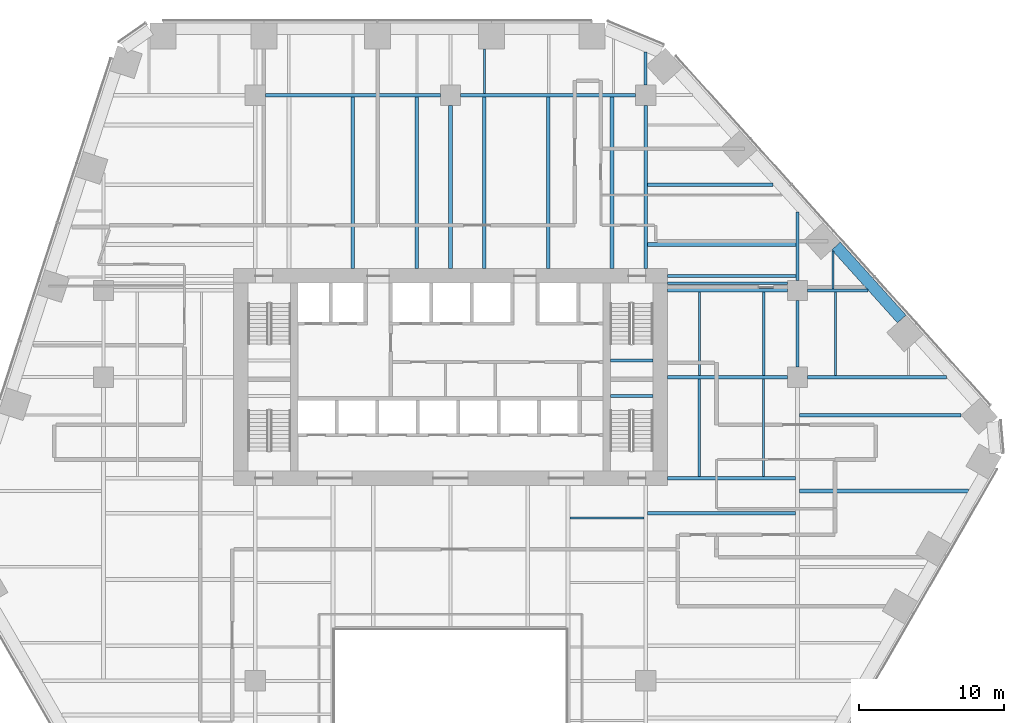
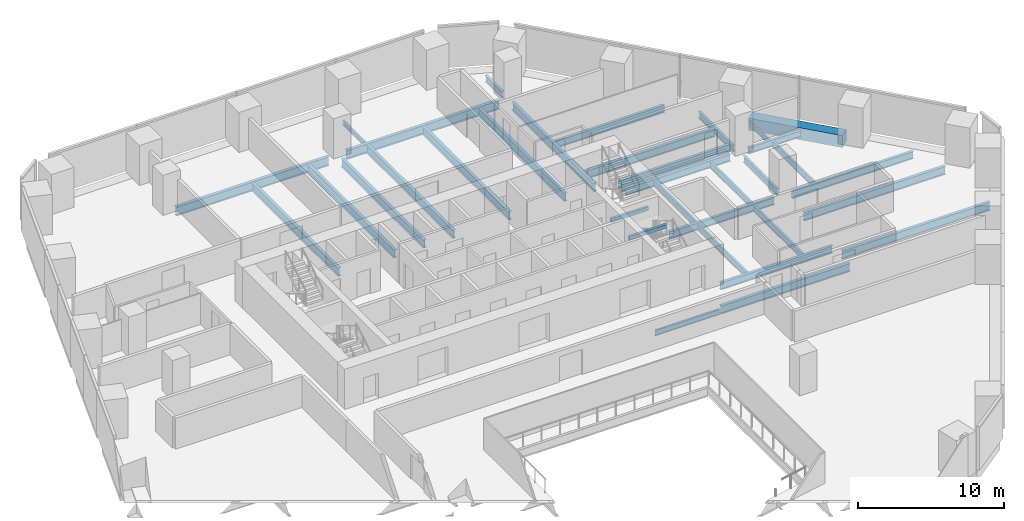
# One storey, part 9 of 20: 35 beams.
"""IFC4 building model written with IfcOpenShell, lengths in metres."""

from ifc_helpers import new_model, si_unit, direction, frame, origin, origin_2d, place, context, subcontext, project, spatial, rectangle, i_section, extrude, material, material_profile, profile_set, type_object, element, save


model = new_model("IFC4")

# Units and contexts
model_context = context("Model", 3, precision=1e-05, world=origin(), true_north=direction((0.0, 1.0)))
body_context = subcontext(model_context, "Body", "Model", "MODEL_VIEW")
ifc_project = project(units=[si_unit("LENGTHUNIT", "METRE"), si_unit("AREAUNIT", "SQUARE_METRE"), si_unit("VOLUMEUNIT", "CUBIC_METRE"), si_unit("PLANEANGLEUNIT", "RADIAN"), si_unit("MASSUNIT", "GRAM", prefix="KILO")], contexts=[model_context])

# Site, building, storey
site_placement = place(None, origin())
site = spatial("IfcSite", under=ifc_project, at=site_placement, CompositionType="ELEMENT")
building_placement = place(site_placement, origin())
building = spatial("IfcBuilding", under=site, at=building_placement, Name="Isthmus Gate Tower", CompositionType="ELEMENT")
storey_placement = place(building_placement, frame((0.0, 0.0, 72.5)))
storey = spatial("IfcBuildingStorey", under=building, at=storey_placement, Name="L16", CompositionType="ELEMENT", Elevation=72.5)

# Beams
ifc_material_1 = material(Name="Concrete f'c 70 MPa", Category="concrete")
ifc_material_profile_1 = material_profile(ifc_material_1, rectangle(XDim=0.800048828125, YDim=1.0, at=origin_2d()), Name="RC 800X1000")
ifc_profile_set_1 = profile_set([ifc_material_profile_1], Name="Concrete f'c 70 MPa")
beam_type_1 = type_object("IfcBeamType", Name="RC SPANDREL 800 X 1000", PredefinedType="SPANDREL", material=ifc_profile_set_1)
beam_1_placement = place(storey_placement, frame((26.664794921875, 16.566162109375, -0.5), z_axis=(0.669117690519, -0.743156454748, 0.0), x_axis=(0.743156454748, 0.669117690519, 0.0)))
element("IfcBeam", 1, at=beam_1_placement, inside=storey, type_object=beam_type_1, Name="str-spandrel-L16-03", PredefinedType="SPANDREL", context=body_context, shape_type="SweptSolid", body=[
    extrude(rectangle(XDim=0.800048828125, YDim=1.0, at=origin_2d()), origin(), (0.0, 0.0, 1.0), 6.78955078125),
])
ifc_material_2 = material(Name="Concrete f'c 40 MPa", Category="concrete")
ifc_material_profile_2 = material_profile(ifc_material_2, rectangle(XDim=0.199951171875, YDim=0.300048828125, at=origin_2d()), Name="STAIR LANDING BEAM RC 200 X 300")
ifc_profile_set_2 = profile_set([ifc_material_profile_2], Name="Concrete f'c 40 MPa")
beam_type_2 = type_object("IfcBeamType", Name="STAIR LANDING BEAM RC 200 X 300", PredefinedType="BEAM", material=ifc_profile_set_2)
for number, where, z_axis, x_axis, name in (
    (2, (11.050048828125, 8.64990234375, 1.47509765625), (1.0, 0.0, 0.0), (0.0, 1.0, 0.0), "L16 ST2 landing beam 1"),
    (3, (11.050048828125, 6.199951171875, 1.47509765625), (1.0, 0.0, 0.0), (0.0, 1.0, 0.0), "L16 ST8 landing beam 1"),
):
    element("IfcBeam", number, at=place(storey_placement, frame(where, z_axis=z_axis, x_axis=x_axis)), inside=storey, type_object=beam_type_2, Name=name, PredefinedType="BEAM", context=body_context, shape_type="SweptSolid", body=[
        extrude(rectangle(XDim=0.199951171875, YDim=0.300048828125, at=origin_2d()), origin(), (0.0, 0.0, 1.0), 2.949951171875),
    ])
ifc_material_3 = material(Name="Structural steel ASTM A992 Gr 50", Category="steel")
ifc_material_profile_3 = material_profile(ifc_material_3, i_section(OverallWidth=0.1396484375, OverallDepth=0.4033203125, WebThickness=0.00634765625, FlangeThickness=0.010986328125, at=origin_2d()), Name="W16X31")
ifc_profile_set_3 = profile_set([ifc_material_profile_3], Name="Structural steel ASTM A992 Gr 50")
beam_type_3 = type_object("IfcBeamType", Name="STEEL FLOOR BEAM W16X31", PredefinedType="JOIST", material=ifc_profile_set_3)
beam_2_placement = place(storey_placement, frame((2.33740234375, 27.1318359375, -0.3515625), z_axis=(0.0, 1.0, 0.0), x_axis=(-1.0, 0.0, 0.0)))
element("IfcBeam", 4, at=beam_2_placement, inside=storey, type_object=beam_type_3, Name="str-beam-L16-19-00", PredefinedType="JOIST", context=body_context, shape_type="SweptSolid", body=[
    extrude(i_section(OverallWidth=0.1396484375, OverallDepth=0.4033203125, WebThickness=0.00634765625, FlangeThickness=0.010986328125, at=origin_2d()), origin(), (0.0, 0.0, 1.0), 3.068115234375),
])
beam_3_placement = place(storey_placement, frame((26.448974609375, 13.604736328125, -0.3515625), z_axis=(0.0, 1.0, 0.0), x_axis=(-1.0, 0.0, 0.0)))
element("IfcBeam", 5, at=beam_3_placement, inside=storey, type_object=beam_type_3, Name="str-beam-L16-32-00", PredefinedType="JOIST", context=body_context, shape_type="SweptSolid", body=[
    extrude(i_section(OverallWidth=0.1396484375, OverallDepth=0.4033203125, WebThickness=0.00634765625, FlangeThickness=0.010986328125, at=origin_2d()), origin(), (0.0, 0.0, 1.0), 2.603515625),
])
ifc_material_4 = material(Name="Structural steel ASTM A992 Gr 50", Category="steel")
ifc_material_profile_4 = material_profile(ifc_material_4, i_section(OverallWidth=0.15234375, OverallDepth=0.45068359375, WebThickness=0.0078125, FlangeThickness=0.010986328125, at=origin_2d()), Name="W18X35")
ifc_profile_set_4 = profile_set([ifc_material_profile_4], Name="Structural steel ASTM A992 Gr 50")
beam_type_4 = type_object("IfcBeamType", Name="STEEL FLOOR BEAM W18X35", PredefinedType="JOIST", material=ifc_profile_set_4)
beam_4_placement = place(storey_placement, frame((8.263427734375, -2.232421875, -0.37548828125), z_axis=(1.0, 0.0, 0.0), x_axis=(0.0, 1.0, 0.0)))
element("IfcBeam", 6, at=beam_4_placement, inside=storey, type_object=beam_type_4, Name="str-beam-L16-23-02", PredefinedType="JOIST", context=body_context, shape_type="SweptSolid", body=[
    extrude(i_section(OverallWidth=0.15234375, OverallDepth=0.45068359375, WebThickness=0.0078125, FlangeThickness=0.010986328125, at=origin_2d()), origin(), (0.0, 0.0, 1.0), 5.104736328125),
])
ifc_material_5 = material(Name="Structural steel ASTM A992 Gr 50", Category="steel")
ifc_material_profile_5 = material_profile(ifc_material_5, i_section(OverallWidth=0.1650390625, OverallDepth=0.52392578125, WebThickness=0.009521484375, FlangeThickness=0.010986328125, at=origin_2d()), Name="W21X44")
ifc_profile_set_5 = profile_set([ifc_material_profile_5], Name="Structural steel ASTM A992 Gr 50")
beam_type_5 = type_object("IfcBeamType", Name="STEEL FLOOR BEAM W21X44", PredefinedType="JOIST", material=ifc_profile_set_5)
for number, where, z_axis, x_axis, name in (
    (7, (17.223876953125, 7.6142578125, -0.411865234375), (0.0, 1.0, 0.0), (-1.0, 0.0, 0.0), "str-beam-L16-30-00"),
    (8, (21.67138671875, 7.6142578125, -0.411865234375), (0.0, 1.0, 0.0), (-1.0, 0.0, 0.0), "str-beam-L16-30-01"),
):
    element("IfcBeam", number, at=place(storey_placement, frame(where, z_axis=z_axis, x_axis=x_axis)), inside=storey, type_object=beam_type_5, Name=name, PredefinedType="JOIST", context=body_context, shape_type="SweptSolid", body=[
        extrude(i_section(OverallWidth=0.1650390625, OverallDepth=0.52392578125, WebThickness=0.009521484375, FlangeThickness=0.010986328125, at=origin_2d()), origin(), (0.0, 0.0, 1.0), 5.771484375),
    ])
for number, where, z_axis, x_axis, name in (
    (9, (17.216552734375, 0.6142578125, -0.411865234375), (0.0, 1.0, 0.0), (-1.0, 0.0, 0.0), "str-beam-L16-31-00"),
    (10, (21.64990234375, 0.6142578125, -0.411865234375), (0.0, 1.0, 0.0), (-1.0, 0.0, 0.0), "str-beam-L16-31-01"),
):
    element("IfcBeam", number, at=place(storey_placement, frame(where, z_axis=z_axis, x_axis=x_axis)), inside=storey, type_object=beam_type_5, Name=name, PredefinedType="JOIST", context=body_context, shape_type="SweptSolid", body=[
        extrude(i_section(OverallWidth=0.1650390625, OverallDepth=0.52392578125, WebThickness=0.009521484375, FlangeThickness=0.010986328125, at=origin_2d()), origin(), (0.0, 0.0, 1.0), 6.771484375),
    ])
beam_5_placement = place(storey_placement, frame((26.625244140625, 7.6142578125, -0.411865234375), z_axis=(0.0, 1.0, 0.0), x_axis=(-1.0, 0.0, 0.0)))
element("IfcBeam", 11, at=beam_5_placement, inside=storey, type_object=beam_type_5, Name="str-beam-L16-33-00", PredefinedType="JOIST", context=body_context, shape_type="SweptSolid", body=[
    extrude(i_section(OverallWidth=0.1650390625, OverallDepth=0.52392578125, WebThickness=0.009521484375, FlangeThickness=0.010986328125, at=origin_2d()), origin(), (0.0, 0.0, 1.0), 5.781005859375),
])
ifc_material_6 = material(Name="Structural steel ASTM A992 Gr 50", Category="steel")
ifc_material_profile_6 = material_profile(ifc_material_6, i_section(OverallWidth=0.177734375, OverallDepth=0.60009765625, WebThickness=0.009521484375, FlangeThickness=0.0126953125, at=origin_2d()), Name="W24X55")
ifc_profile_set_6 = profile_set([ifc_material_profile_6], Name="Structural steel ASTM A992 Gr 50")
beam_type_6 = type_object("IfcBeamType", Name="STEEL FLOOR BEAM W24X55", PredefinedType="JOIST", material=ifc_profile_set_6)
beam_6_placement = place(storey_placement, frame((15.0, 14.0, -0.449951171875), z_axis=(1.0, 0.0, 0.0), x_axis=(0.0, 1.0, 0.0)))
element("IfcBeam", 12, at=beam_6_placement, inside=storey, type_object=beam_type_6, Name="str-beam-L16-29-00", PredefinedType="JOIST", context=body_context, shape_type="SweptSolid", body=[
    extrude(i_section(OverallWidth=0.177734375, OverallDepth=0.60009765625, WebThickness=0.009521484375, FlangeThickness=0.0126953125, at=origin_2d()), origin(), (0.0, 0.0, 1.0), 8.300048828125),
])
ifc_material_7 = material(Name="Structural steel ASTM A992 Gr 50", Category="steel")
ifc_material_profile_7 = material_profile(ifc_material_7, i_section(OverallWidth=0.228515625, OverallDepth=0.603271484375, WebThickness=0.010986328125, FlangeThickness=0.014404296875, at=origin_2d()), Name="W24X68")
ifc_profile_set_7 = profile_set([ifc_material_profile_7], Name="Structural steel ASTM A992 Gr 50")
beam_type_7 = type_object("IfcBeamType", Name="STEEL FLOOR BEAM W24X68", PredefinedType="JOIST", material=ifc_profile_set_7)
beam_7_placement = place(storey_placement, frame((13.626953125, 20.80712890625, -0.45166015625), z_axis=(1.0, 0.0, 0.0), x_axis=(0.0, 1.0, 0.0)))
element("IfcBeam", 13, at=beam_7_placement, inside=storey, type_object=beam_type_7, Name="str-beam-L16-26-01", PredefinedType="JOIST", context=body_context, shape_type="SweptSolid", body=[
    extrude(i_section(OverallWidth=0.228515625, OverallDepth=0.603271484375, WebThickness=0.010986328125, FlangeThickness=0.014404296875, at=origin_2d()), origin(), (0.0, 0.0, 1.0), 8.680908203125),
])
ifc_material_8 = material(Name="Structural steel ASTM A992 Gr 50", Category="steel")
ifc_material_profile_8 = material_profile(ifc_material_8, i_section(OverallWidth=0.25390625, OverallDepth=0.679443359375, WebThickness=0.010986328125, FlangeThickness=0.015869140625, at=origin_2d()), Name="W27X84")
ifc_profile_set_8 = profile_set([ifc_material_profile_8], Name="Structural steel ASTM A992 Gr 50")
beam_type_8 = type_object("IfcBeamType", Name="STEEL FLOOR BEAM W27X84", PredefinedType="JOIST", material=ifc_profile_set_8)
for number, where, z_axis, x_axis, name in (
    (14, (-6.75, 15.0, -0.48974609375), (0.0, 1.0, 0.0), (-1.0, 0.0, 0.0), "str-beam-L16-13-01"),
    (15, (-2.334716796875, 15.0, -0.48974609375), (0.0, 1.0, 0.0), (-1.0, 0.0, 0.0), "str-beam-L16-13-02"),
    (16, (2.334716796875, 15.0, -0.48974609375), (0.0, 1.0, 0.0), (-1.0, 0.0, 0.0), "str-beam-L16-20-00"),
    (17, (6.75, 15.0, -0.48974609375), (0.0, 1.0, 0.0), (-1.0, 0.0, 0.0), "str-beam-L16-20-01"),
    (18, (11.165283203125, 15.0, -0.48974609375), (0.0, 1.0, 0.0), (-1.0, 0.0, 0.0), "str-beam-L16-20-02"),
):
    element("IfcBeam", number, at=place(storey_placement, frame(where, z_axis=z_axis, x_axis=x_axis)), inside=storey, type_object=beam_type_8, Name=name, PredefinedType="JOIST", context=body_context, shape_type="SweptSolid", body=[
        extrude(i_section(OverallWidth=0.25390625, OverallDepth=0.679443359375, WebThickness=0.010986328125, FlangeThickness=0.015869140625, at=origin_2d()), origin(), (0.0, 0.0, 1.0), 11.8681640625),
    ])
beam_8_placement = place(storey_placement, frame((13.626953125, 16.678466796875, -0.48974609375), z_axis=(1.0, 0.0, 0.0), x_axis=(0.0, 1.0, 0.0)))
element("IfcBeam", 19, at=beam_8_placement, inside=storey, type_object=beam_type_8, Name="str-beam-L16-26-00", PredefinedType="JOIST", context=body_context, shape_type="SweptSolid", body=[
    extrude(i_section(OverallWidth=0.25390625, OverallDepth=0.679443359375, WebThickness=0.010986328125, FlangeThickness=0.015869140625, at=origin_2d()), origin(), (0.0, 0.0, 1.0), 10.268310546875),
])
beam_9_placement = place(storey_placement, frame((13.6318359375, -1.90625, -0.48974609375), z_axis=(1.0, 0.0, 0.0), x_axis=(0.0, 1.0, 0.0)))
element("IfcBeam", 20, at=beam_9_placement, inside=storey, type_object=beam_type_8, Name="str-beam-L16-27-02", PredefinedType="JOIST", context=body_context, shape_type="SweptSolid", body=[
    extrude(i_section(OverallWidth=0.25390625, OverallDepth=0.679443359375, WebThickness=0.010986328125, FlangeThickness=0.015869140625, at=origin_2d()), origin(), (0.0, 0.0, 1.0), 10.23486328125),
])
beam_10_placement = place(storey_placement, frame((24.13330078125, -0.375, -0.48974609375), z_axis=(1.0, 0.0, 0.0), x_axis=(0.0, 1.0, 0.0)))
element("IfcBeam", 21, at=beam_10_placement, inside=storey, type_object=beam_type_8, Name="str-beam-L16-34-02", PredefinedType="JOIST", context=body_context, shape_type="SweptSolid", body=[
    extrude(i_section(OverallWidth=0.25390625, OverallDepth=0.679443359375, WebThickness=0.010986328125, FlangeThickness=0.015869140625, at=origin_2d()), origin(), (0.0, 0.0, 1.0), 11.6767578125),
])
beam_11_placement = place(storey_placement, frame((24.13330078125, 4.875, -0.48974609375), z_axis=(1.0, 0.0, 0.0), x_axis=(0.0, 1.0, 0.0)))
element("IfcBeam", 22, at=beam_11_placement, inside=storey, type_object=beam_type_8, Name="str-beam-L16-34-03", PredefinedType="JOIST", context=body_context, shape_type="SweptSolid", body=[
    extrude(i_section(OverallWidth=0.25390625, OverallDepth=0.679443359375, WebThickness=0.010986328125, FlangeThickness=0.015869140625, at=origin_2d()), origin(), (0.0, 0.0, 1.0), 11.185302734375),
])
ifc_material_9 = material(Name="Structural steel ASTM A992 Gr 50", Category="steel")
ifc_material_profile_9 = material_profile(ifc_material_9, i_section(OverallWidth=0.20947265625, OverallDepth=0.533447265625, WebThickness=0.009521484375, FlangeThickness=0.015869140625, at=origin_2d()), Name="W21X62")
ifc_profile_set_9 = profile_set([ifc_material_profile_9], Name="Structural steel ASTM A992 Gr 50")
beam_type_9 = type_object("IfcBeamType", Name="STEEL GIRDER W21X62", PredefinedType="BEAM", material=ifc_profile_set_9)
beam_12_placement = place(storey_placement, frame((24.699951171875, 13.5, -0.416748046875), z_axis=(1.0, 0.0, 0.0), x_axis=(0.0, 1.0, 0.0)))
element("IfcBeam", 23, at=beam_12_placement, inside=storey, type_object=beam_type_9, Name="str-girder-L16-15", PredefinedType="BEAM", context=body_context, shape_type="SweptSolid", body=[
    extrude(i_section(OverallWidth=0.20947265625, OverallDepth=0.533447265625, WebThickness=0.009521484375, FlangeThickness=0.015869140625, at=origin_2d()), origin(), (0.0, 0.0, 1.0), 4.187255859375),
])
beam_13_placement = place(storey_placement, frame((13.5, 27.699951171875, -0.416748046875), z_axis=(0.0, 1.0, 0.0), x_axis=(-1.0, 0.0, 0.0)))
element("IfcBeam", 24, at=beam_13_placement, inside=storey, type_object=beam_type_9, Name="str-girder-L16-34", PredefinedType="BEAM", context=body_context, shape_type="SweptSolid", body=[
    extrude(i_section(OverallWidth=0.20947265625, OverallDepth=0.533447265625, WebThickness=0.009521484375, FlangeThickness=0.015869140625, at=origin_2d()), origin(), (0.0, 0.0, 1.0), 2.27001953125),
])
beam_14_placement = place(storey_placement, frame((24.0, 8.199951171875, -0.416748046875), z_axis=(0.0, 1.0, 0.0), x_axis=(-1.0, 0.0, 0.0)))
element("IfcBeam", 25, at=beam_14_placement, inside=storey, type_object=beam_type_9, Name="str-girder-L16-36", PredefinedType="BEAM", context=body_context, shape_type="SweptSolid", body=[
    extrude(i_section(OverallWidth=0.20947265625, OverallDepth=0.533447265625, WebThickness=0.009521484375, FlangeThickness=0.015869140625, at=origin_2d()), origin(), (0.0, 0.0, 1.0), 4.60009765625),
])
beam_15_placement = place(storey_placement, frame((24.0, 14.199951171875, -0.416748046875), z_axis=(0.0, 1.0, 0.0), x_axis=(-1.0, 0.0, 0.0)))
element("IfcBeam", 26, at=beam_15_placement, inside=storey, type_object=beam_type_9, Name="str-girder-L16-37", PredefinedType="BEAM", context=body_context, shape_type="SweptSolid", body=[
    extrude(i_section(OverallWidth=0.20947265625, OverallDepth=0.533447265625, WebThickness=0.009521484375, FlangeThickness=0.015869140625, at=origin_2d()), origin(), (0.0, 0.0, 1.0), 4.72802734375),
])
ifc_material_10 = material(Name="Structural steel ASTM A992 Gr 50", Category="steel")
ifc_material_profile_10 = material_profile(ifc_material_10, i_section(OverallWidth=0.228515625, OverallDepth=0.6064453125, WebThickness=0.010986328125, FlangeThickness=0.017578125, at=origin_2d()), Name="W24X76")
ifc_profile_set_10 = profile_set([ifc_material_profile_10], Name="Structural steel ASTM A992 Gr 50")
beam_type_10 = type_object("IfcBeamType", Name="STEEL GIRDER W24X76", PredefinedType="BEAM", material=ifc_profile_set_10)
beam_16_placement = place(storey_placement, frame((15.0, 7.5, -0.453125), z_axis=(1.0, 0.0, 0.0), x_axis=(0.0, 1.0, 0.0)))
element("IfcBeam", 27, at=beam_16_placement, inside=storey, type_object=beam_type_10, Name="str-girder-L16-11", PredefinedType="BEAM", context=body_context, shape_type="SweptSolid", body=[
    extrude(i_section(OverallWidth=0.228515625, OverallDepth=0.6064453125, WebThickness=0.010986328125, FlangeThickness=0.017578125, at=origin_2d()), origin(), (0.0, 0.0, 1.0), 8.300048828125),
])
beam_17_placement = place(storey_placement, frame((24.699951171875, 7.5, -0.453125), z_axis=(1.0, 0.0, 0.0), x_axis=(0.0, 1.0, 0.0)))
element("IfcBeam", 28, at=beam_17_placement, inside=storey, type_object=beam_type_10, Name="str-girder-L16-12", PredefinedType="BEAM", context=body_context, shape_type="SweptSolid", body=[
    extrude(i_section(OverallWidth=0.228515625, OverallDepth=0.6064453125, WebThickness=0.010986328125, FlangeThickness=0.017578125, at=origin_2d()), origin(), (0.0, 0.0, 1.0), 9.58984375),
])
beam_18_placement = place(storey_placement, frame((15.0, 13.5, -0.453125), z_axis=(1.0, 0.0, 0.0), x_axis=(0.0, 1.0, 0.0)))
element("IfcBeam", 29, at=beam_18_placement, inside=storey, type_object=beam_type_10, Name="str-girder-L16-14", PredefinedType="BEAM", context=body_context, shape_type="SweptSolid", body=[
    extrude(i_section(OverallWidth=0.228515625, OverallDepth=0.6064453125, WebThickness=0.010986328125, FlangeThickness=0.017578125, at=origin_2d()), origin(), (0.0, 0.0, 1.0), 8.300048828125),
])
beam_19_placement = place(storey_placement, frame((15.0, 0.5, -0.453125), z_axis=(1.0, 0.0, 0.0), x_axis=(0.0, 1.0, 0.0)))
element("IfcBeam", 30, at=beam_19_placement, inside=storey, type_object=beam_type_10, Name="str-girder-L16-39", PredefinedType="BEAM", context=body_context, shape_type="SweptSolid", body=[
    extrude(i_section(OverallWidth=0.228515625, OverallDepth=0.6064453125, WebThickness=0.010986328125, FlangeThickness=0.017578125, at=origin_2d()), origin(), (0.0, 0.0, 1.0), 8.86669921875),
])
beam_20_placement = place(storey_placement, frame((15.0, 14.5, -0.453125), z_axis=(1.0, 0.0, 0.0), x_axis=(0.0, 1.0, 0.0)))
element("IfcBeam", 31, at=beam_20_placement, inside=storey, type_object=beam_type_10, Name="str-girder-L16-41", PredefinedType="BEAM", context=body_context, shape_type="SweptSolid", body=[
    extrude(i_section(OverallWidth=0.228515625, OverallDepth=0.6064453125, WebThickness=0.010986328125, FlangeThickness=0.017578125, at=origin_2d()), origin(), (0.0, 0.0, 1.0), 8.895263671875),
])
ifc_material_11 = material(Name="Structural steel ASTM A992 Gr 50", Category="steel")
ifc_material_profile_11 = material_profile(ifc_material_11, i_section(OverallWidth=0.25390625, OverallDepth=0.679443359375, WebThickness=0.010986328125, FlangeThickness=0.015869140625, at=origin_2d()), Name="W27X84")
ifc_profile_set_11 = profile_set([ifc_material_profile_11], Name="Structural steel ASTM A992 Gr 50")
beam_type_11 = type_object("IfcBeamType", Name="STEEL GIRDER W27X84", PredefinedType="BEAM", material=ifc_profile_set_11)
for number, where, z_axis, x_axis, name in (
    (32, (0.0, 15.0, -0.48974609375), (0.0, 1.0, 0.0), (-1.0, 0.0, 0.0), "str-girder-L16-29"),
    (33, (13.5, 15.0, -0.48974609375), (0.0, 1.0, 0.0), (-1.0, 0.0, 0.0), "str-girder-L16-33"),
):
    element("IfcBeam", number, at=place(storey_placement, frame(where, z_axis=z_axis, x_axis=x_axis)), inside=storey, type_object=beam_type_11, Name=name, PredefinedType="BEAM", context=body_context, shape_type="SweptSolid", body=[
        extrude(i_section(OverallWidth=0.25390625, OverallDepth=0.679443359375, WebThickness=0.010986328125, FlangeThickness=0.015869140625, at=origin_2d()), origin(), (0.0, 0.0, 1.0), 11.300048828125),
    ])
ifc_material_12 = material(Name="Structural steel ASTM A992 Gr 50", Category="steel")
ifc_material_profile_12 = material_profile(ifc_material_12, i_section(OverallWidth=0.263427734375, OverallDepth=0.749267578125, WebThickness=0.0126953125, FlangeThickness=0.015869140625, at=origin_2d()), Name="W30X90")
ifc_profile_set_12 = profile_set([ifc_material_profile_12], Name="Structural steel ASTM A992 Gr 50")
beam_type_12 = type_object("IfcBeamType", Name="STEEL GIRDER W30X90", PredefinedType="BEAM", material=ifc_profile_set_12)
for number, where, z_axis, x_axis, name in (
    (34, (-12.800048828125, 27.0, -0.524658203125), (1.0, 0.0, 0.0), (0.0, 1.0, 0.0), "str-girder-L16-17"),
    (35, (0.699951171875, 27.0, -0.524658203125), (1.0, 0.0, 0.0), (0.0, 1.0, 0.0), "str-girder-L16-18"),
):
    element("IfcBeam", number, at=place(storey_placement, frame(where, z_axis=z_axis, x_axis=x_axis)), inside=storey, type_object=beam_type_12, Name=name, PredefinedType="BEAM", context=body_context, shape_type="SweptSolid", body=[
        extrude(i_section(OverallWidth=0.263427734375, OverallDepth=0.749267578125, WebThickness=0.0126953125, FlangeThickness=0.015869140625, at=origin_2d()), origin(), (0.0, 0.0, 1.0), 12.10009765625),
    ])

save(model, "model.ifc")
